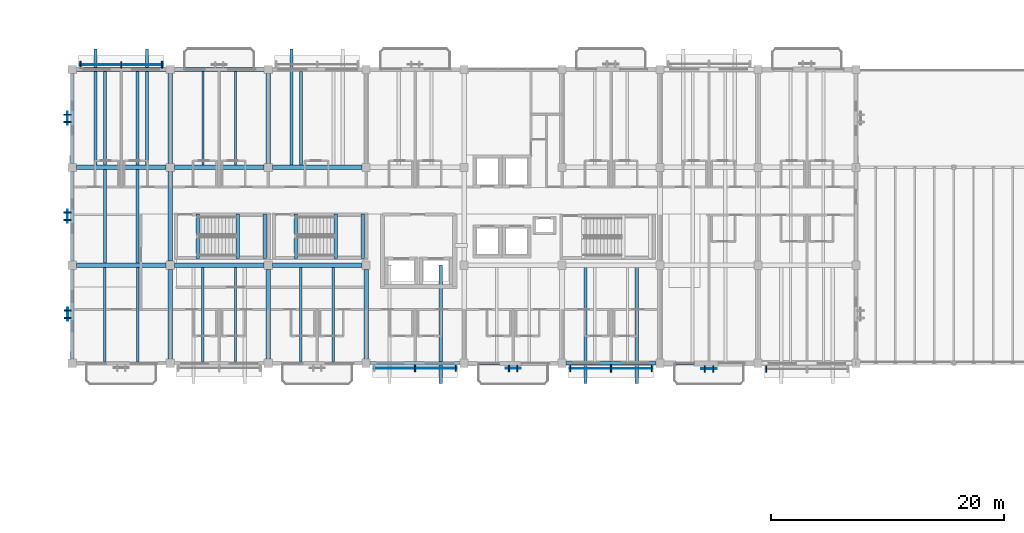
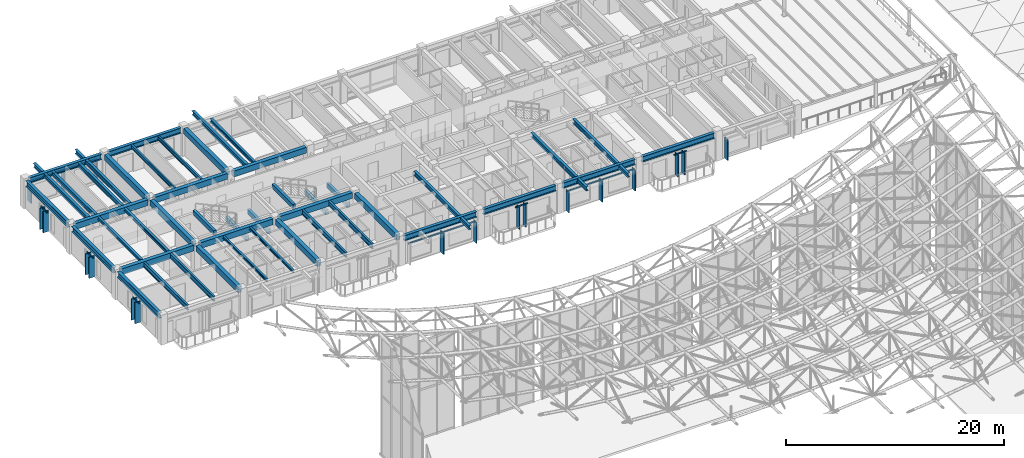
# One storey, part 53 of 93: 46 beams, 27 members, 9 elements without a shape of their own.
"""IFC4 building model written with IfcOpenShell, lengths in metres."""

from ifc_helpers import new_model, si_unit, direction, frame, origin, origin_2d, place, context, subcontext, project, spatial, rectangle, i_section, extrude, material, material_profile, profile_set, type_object, element, aggregate, save


model = new_model("IFC4")

# Units and contexts
model_context = context("Model", 3, precision=1e-05, world=origin(), true_north=direction((0.0, 1.0)))
body_context = subcontext(model_context, "Body", "Model", "MODEL_VIEW")
ifc_project = project(units=[si_unit("LENGTHUNIT", "METRE"), si_unit("AREAUNIT", "SQUARE_METRE"), si_unit("VOLUMEUNIT", "CUBIC_METRE"), si_unit("PLANEANGLEUNIT", "RADIAN"), si_unit("MASSUNIT", "GRAM", prefix="KILO")], contexts=[model_context])

# Site, building, storey
site_placement = place(None, origin())
site = spatial("IfcSite", under=ifc_project, at=site_placement, CompositionType="ELEMENT")
building_placement = place(site_placement, origin())
building = spatial("IfcBuilding", under=site, at=building_placement, Name="Cumbredor Promenade Congress Hotel", CompositionType="ELEMENT")
storey_placement = place(building_placement, frame((0.0, 0.0, 21.840087890625)))
storey = spatial("IfcBuildingStorey", under=building, at=storey_placement, Name="L06", CompositionType="ELEMENT", Elevation=21.840087890625)

# Beams
ifc_material_1 = material(Name="Concrete C40/50", Category="concrete")
ifc_material_profile_1 = material_profile(ifc_material_1, rectangle(XDim=0.39990234375, YDim=0.64990234375, at=origin_2d()), Name="RC BEAM 400x650")
ifc_profile_set_1 = profile_set([ifc_material_profile_1], Name="Concrete C40/50")
beam_type_1 = type_object("IfcBeamType", Name="BM-RC-400x650", PredefinedType="BEAM", material=ifc_profile_set_1)
for number, where, z_axis, x_axis, name in (
    (1, (0.35009765625, 100.800048828125, 2.794921875), (1.0, 0.0, 0.0), (0.0, 1.0, 0.0), "L07 X-Grid Beam 003"),
    (2, (0.35009765625, 109.199951171875, 2.794921875), (1.0, 0.0, 0.0), (0.0, 1.0, 0.0), "L07 X-Grid Beam 005"),
    (3, (8.39990234375, 92.75, 2.794921875), (0.0, 1.0, 0.0), (-1.0, 0.0, 0.0), "L07 Y-Grid Beam 009"),
    (4, (8.75, 100.800048828125, 2.794921875), (1.0, 0.0, 0.0), (0.0, 1.0, 0.0), "L07 X-Grid Beam 010"),
):
    element("IfcBeam", number, at=place(storey_placement, frame(where, z_axis=z_axis, x_axis=x_axis)), inside=storey, type_object=beam_type_1, Name=name, PredefinedType="BEAM", context=body_context, shape_type="SweptSolid", body=[
        extrude(rectangle(XDim=0.39990234375, YDim=0.64990234375, at=origin_2d()), origin(), (0.0, 0.0, 1.0), 7.699951171875),
    ])
beam_1_placement = place(storey_placement, frame((8.39990234375, 101.14990234375, 2.794921875), z_axis=(0.0, 1.0, 0.0), x_axis=(-1.0, 0.0, 0.0)))
element("IfcBeam", 5, at=beam_1_placement, inside=storey, type_object=beam_type_1, Name="L07 Y-Grid Beam 011", PredefinedType="BEAM", context=body_context, shape_type="SweptSolid", body=[
    extrude(rectangle(XDim=0.39990234375, YDim=0.64990234375, at=origin_2d()), origin(), (0.0, 0.0, 1.0), 7.7001953125),
])
for number, where, z_axis, x_axis, name in (
    (6, (8.75, 109.199951171875, 2.794921875), (1.0, 0.0, 0.0), (0.0, 1.0, 0.0), "L07 X-Grid Beam 012"),
    (7, (8.39990234375, 109.550048828125, 2.794921875), (0.0, 1.0, 0.0), (-1.0, 0.0, 0.0), "L07 Y-Grid Beam 013"),
    (8, (16.800048828125, 92.75, 2.794921875), (0.0, 1.0, 0.0), (-1.0, 0.0, 0.0), "L07 Y-Grid Beam 016"),
):
    element("IfcBeam", number, at=place(storey_placement, frame(where, z_axis=z_axis, x_axis=x_axis)), inside=storey, type_object=beam_type_1, Name=name, PredefinedType="BEAM", context=body_context, shape_type="SweptSolid", body=[
        extrude(rectangle(XDim=0.39990234375, YDim=0.64990234375, at=origin_2d()), origin(), (0.0, 0.0, 1.0), 7.699951171875),
    ])
for number, where, z_axis, x_axis, name in (
    (9, (17.14990234375, 100.800048828125, 2.794921875), (1.0, 0.0, 0.0), (0.0, 1.0, 0.0), "L07 X-Grid Beam 017"),
    (10, (17.14990234375, 109.199951171875, 2.794921875), (1.0, 0.0, 0.0), (0.0, 1.0, 0.0), "L07 X-Grid Beam 018"),
):
    element("IfcBeam", number, at=place(storey_placement, frame(where, z_axis=z_axis, x_axis=x_axis)), inside=storey, type_object=beam_type_1, Name=name, PredefinedType="BEAM", context=body_context, shape_type="SweptSolid", body=[
        extrude(rectangle(XDim=0.39990234375, YDim=0.64990234375, at=origin_2d()), origin(), (0.0, 0.0, 1.0), 7.7001953125),
    ])
for number, where, z_axis, x_axis, name in (
    (11, (16.800048828125, 109.550048828125, 2.794921875), (0.0, 1.0, 0.0), (-1.0, 0.0, 0.0), "L07 Y-Grid Beam 019"),
    (12, (25.199951171875, 92.75, 2.794921875), (0.0, 1.0, 0.0), (-1.0, 0.0, 0.0), "L07 Y-Grid Beam 022"),
):
    element("IfcBeam", number, at=place(storey_placement, frame(where, z_axis=z_axis, x_axis=x_axis)), inside=storey, type_object=beam_type_1, Name=name, PredefinedType="BEAM", context=body_context, shape_type="SweptSolid", body=[
        extrude(rectangle(XDim=0.39990234375, YDim=0.64990234375, at=origin_2d()), origin(), (0.0, 0.0, 1.0), 7.699951171875),
    ])
ifc_material_2 = material(Name="Steel ASTM A992 Grade 50", Category="steel")
ifc_material_profile_2 = material_profile(ifc_material_2, i_section(OverallWidth=0.323974609375, OverallDepth=0.611083984375, WebThickness=0.0126953125, FlangeThickness=0.01904296875, at=origin_2d()), Name="W24X104")
ifc_profile_set_2 = profile_set([ifc_material_profile_2], Name="Steel ASTM A992 Grade 50")
beam_type_2 = type_object("IfcBeamType", Name="BM-W24X104", PredefinedType="BEAM", material=ifc_profile_set_2)
for number, where, z_axis, x_axis, name in (
    (13, (0.35009765625, 117.60009765625, 2.814453125), (1.0, 0.0, 0.0), (0.0, 1.0, 0.0), "L07 X-Grid Beam 007"),
    (14, (8.75, 117.60009765625, 2.814453125), (1.0, 0.0, 0.0), (0.0, 1.0, 0.0), "L07 X-Grid Beam 014"),
    (15, (25.550048828125, 92.39990234375, 2.814453125), (1.0, 0.0, 0.0), (0.0, 1.0, 0.0), "L07 X-Grid Beam 021"),
    (16, (33.949951171875, 92.39990234375, 2.814453125), (1.0, 0.0, 0.0), (0.0, 1.0, 0.0), "L07 X-Grid Beam 026"),
    (17, (42.35009765625, 92.39990234375, 2.814453125), (1.0, 0.0, 0.0), (0.0, 1.0, 0.0), "L07 X-Grid Beam 032"),
    (18, (50.75, 92.39990234375, 2.814453125), (1.0, 0.0, 0.0), (0.0, 1.0, 0.0), "L07 X-Grid Beam 038"),
):
    element("IfcBeam", number, at=place(storey_placement, frame(where, z_axis=z_axis, x_axis=x_axis)), inside=storey, type_object=beam_type_2, Name=name, PredefinedType="BEAM", context=body_context, shape_type="SweptSolid", body=[
        extrude(i_section(OverallWidth=0.323974609375, OverallDepth=0.611083984375, WebThickness=0.0126953125, FlangeThickness=0.01904296875, at=origin_2d()), origin(), (0.0, 0.0, 1.0), 7.699951171875),
    ])

# Curtain wall, member
ifc_material_3 = material(Name="Thermally broken anodized aluminium and low-E glass", Category="aluminium")
curtain_wall_type = type_object("IfcCurtainWallType", Name="Solar Brise-Soleil Screen Assembly CW-07", PredefinedType="NOTDEFINED", material=ifc_material_3)
curtain_wall_1_placement = place(storey_placement, origin())
curtain_wall_1 = element("IfcCurtainWall", 19, at=curtain_wall_1_placement, inside=storey, type_object=curtain_wall_type, Name="L06 Hospitality Brise-Soleil Screen 089", PredefinedType="NOTDEFINED")
ifc_material_4 = material(Name="Thermally broken anodized aluminium", Category="aluminium")
ifc_material_profile_3 = material_profile(ifc_material_4, rectangle(XDim=0.06494140625, YDim=0.1298828125, at=origin_2d()), Name="ALU TRANSOM 65x130")
ifc_profile_set_3 = profile_set([ifc_material_profile_3], Name="Thermally broken anodized aluminium")
member_type_1 = type_object("IfcMemberType", Name="Curtain Wall Transom TR-01", PredefinedType="USERDEFINED", material=ifc_profile_set_3)
member_1_placement = place(storey_placement, frame((25.85107421875, 91.9775390625, 2.31396484375), z_axis=(1.0, 0.0, 0.0), x_axis=(0.0, 1.0, 0.0)))
member_1 = element("IfcMember", 20, at=member_1_placement, type_object=member_type_1, Name="L06 Brise-Soleil Screen Transom 089", ObjectType="TRANSOM", PredefinedType="USERDEFINED", context=body_context, shape_type="SweptSolid", body=[
    extrude(rectangle(XDim=0.06494140625, YDim=0.1298828125, at=origin_2d()), origin(), (0.0, 0.0, 1.0), 7.097900390625),
])

curtain_wall_2_placement = place(storey_placement, origin())
curtain_wall_2 = element("IfcCurtainWall", 21, at=curtain_wall_2_placement, inside=storey, type_object=curtain_wall_type, Name="L06 Veranda Solar Brise-Soleil Screen 934", PredefinedType="NOTDEFINED")
member_2_placement = place(storey_placement, frame((37.14990234375, 91.965087890625, 2.413818359375), z_axis=(1.0, 0.0, 0.0), x_axis=(0.0, 1.0, 0.0)))
member_2 = element("IfcMember", 22, at=member_2_placement, type_object=member_type_1, Name="L06 Brise-Soleil Header Tie 0936", ObjectType="TRANSOM", PredefinedType="USERDEFINED", context=body_context, shape_type="SweptSolid", body=[
    extrude(rectangle(XDim=0.06494140625, YDim=0.1298828125, at=origin_2d()), origin(), (0.0, 0.0, 1.0), 1.300048828125),
])

curtain_wall_3_placement = place(storey_placement, origin())
curtain_wall_3 = element("IfcCurtainWall", 23, at=curtain_wall_3_placement, inside=storey, type_object=curtain_wall_type, Name="L06 Hospitality Brise-Soleil Screen 090", PredefinedType="NOTDEFINED")
member_3_placement = place(storey_placement, frame((42.65087890625, 91.949951171875, 2.31396484375), z_axis=(1.0, 0.0, 0.0), x_axis=(0.0, 1.0, 0.0)))
member_3 = element("IfcMember", 24, at=member_3_placement, type_object=member_type_1, Name="L06 Brise-Soleil Screen Transom 090", ObjectType="TRANSOM", PredefinedType="USERDEFINED", context=body_context, shape_type="SweptSolid", body=[
    extrude(rectangle(XDim=0.06494140625, YDim=0.1298828125, at=origin_2d()), origin(), (0.0, 0.0, 1.0), 7.09814453125),
])

curtain_wall_4_placement = place(storey_placement, origin())
curtain_wall_4 = element("IfcCurtainWall", 25, at=curtain_wall_4_placement, inside=storey, type_object=curtain_wall_type, Name="L06 Veranda Solar Brise-Soleil Screen 940", PredefinedType="NOTDEFINED")
member_4_placement = place(storey_placement, frame((53.949951171875, 91.927490234375, 2.413818359375), z_axis=(1.0, 0.0, 0.0), x_axis=(0.0, 1.0, 0.0)))
member_4 = element("IfcMember", 26, at=member_4_placement, type_object=member_type_1, Name="L06 Brise-Soleil Header Tie 0942", ObjectType="TRANSOM", PredefinedType="USERDEFINED", context=body_context, shape_type="SweptSolid", body=[
    extrude(rectangle(XDim=0.06494140625, YDim=0.1298828125, at=origin_2d()), origin(), (0.0, 0.0, 1.0), 1.300048828125),
])

curtain_wall_5_placement = place(storey_placement, origin())
curtain_wall_5 = element("IfcCurtainWall", 27, at=curtain_wall_5_placement, inside=storey, type_object=curtain_wall_type, Name="L06 Hospitality Brise-Soleil Screen 092", PredefinedType="NOTDEFINED")
member_5_placement = place(storey_placement, frame((0.65087890625, 117.989990234375, 2.31396484375), z_axis=(1.0, 0.0, 0.0), x_axis=(0.0, 1.0, 0.0)))
member_5 = element("IfcMember", 28, at=member_5_placement, type_object=member_type_1, Name="L06 Brise-Soleil Screen Transom 092", ObjectType="TRANSOM", PredefinedType="USERDEFINED", context=body_context, shape_type="SweptSolid", body=[
    extrude(rectangle(XDim=0.06494140625, YDim=0.1298828125, at=origin_2d()), origin(), (0.0, 0.0, 1.0), 7.09814453125),
])

curtain_wall_6_placement = place(storey_placement, origin())
curtain_wall_6 = element("IfcCurtainWall", 29, at=curtain_wall_6_placement, inside=storey, type_object=curtain_wall_type, Name="L06 Pier Brise-Soleil Screen 0967", PredefinedType="NOTDEFINED")
member_6_placement = place(storey_placement, frame((-0.389892578125, 96.050048828125, 2.333984375), z_axis=(0.0, 1.0, 0.0), x_axis=(-1.0, 0.0, 0.0)))
member_6 = element("IfcMember", 30, at=member_6_placement, type_object=member_type_1, Name="L06 Pier Brise-Soleil Header 0969", ObjectType="TRANSOM", PredefinedType="USERDEFINED", context=body_context, shape_type="SweptSolid", body=[
    extrude(rectangle(XDim=0.06494140625, YDim=0.1298828125, at=origin_2d()), origin(), (0.0, 0.0, 1.0), 1.099853515625),
])

curtain_wall_7_placement = place(storey_placement, origin())
curtain_wall_7 = element("IfcCurtainWall", 31, at=curtain_wall_7_placement, inside=storey, type_object=curtain_wall_type, Name="L06 Pier Brise-Soleil Screen 0970", PredefinedType="NOTDEFINED")
member_7_placement = place(storey_placement, frame((-0.39990234375, 104.449951171875, 2.333984375), z_axis=(0.0, 1.0, 0.0), x_axis=(-1.0, 0.0, 0.0)))
member_7 = element("IfcMember", 32, at=member_7_placement, type_object=member_type_1, Name="L06 Pier Brise-Soleil Header 0972", ObjectType="TRANSOM", PredefinedType="USERDEFINED", context=body_context, shape_type="SweptSolid", body=[
    extrude(rectangle(XDim=0.06494140625, YDim=0.1298828125, at=origin_2d()), origin(), (0.0, 0.0, 1.0), 1.10009765625),
])

curtain_wall_8_placement = place(storey_placement, origin())
curtain_wall_8 = element("IfcCurtainWall", 33, at=curtain_wall_8_placement, inside=storey, type_object=curtain_wall_type, Name="L06 Pier Brise-Soleil Screen 0973", PredefinedType="NOTDEFINED")
member_8_placement = place(storey_placement, frame((-0.409912109375, 112.85009765625, 2.333984375), z_axis=(0.0, 1.0, 0.0), x_axis=(-1.0, 0.0, 0.0)))
member_8 = element("IfcMember", 34, at=member_8_placement, type_object=member_type_1, Name="L06 Pier Brise-Soleil Header 0975", ObjectType="TRANSOM", PredefinedType="USERDEFINED", context=body_context, shape_type="SweptSolid", body=[
    extrude(rectangle(XDim=0.06494140625, YDim=0.1298828125, at=origin_2d()), origin(), (0.0, 0.0, 1.0), 1.099853515625),
])

# Beams
ifc_material_profile_4 = material_profile(ifc_material_2, i_section(OverallWidth=0.202880859375, OverallDepth=0.302978515625, WebThickness=0.007568359375, FlangeThickness=0.01318359375, at=origin_2d()), Name="W12X40")
ifc_profile_set_4 = profile_set([ifc_material_profile_4], Name="Steel ASTM A992 Grade 50")
beam_type_3 = type_object("IfcBeamType", Name="JST-W12X40", PredefinedType="JOIST", material=ifc_profile_set_4)
for number, where, z_axis, x_axis, name in (
    (35, (11.199951171875, 92.56201171875, 2.968505859375), (0.0, 1.0, 0.0), (-1.0, 0.0, 0.0), "L07 Secondary Floor Joist 0007"),
    (36, (14.0, 92.56201171875, 2.968505859375), (0.0, 1.0, 0.0), (-1.0, 0.0, 0.0), "L07 Secondary Floor Joist 0008"),
):
    element("IfcBeam", number, at=place(storey_placement, frame(where, z_axis=z_axis, x_axis=x_axis)), inside=storey, type_object=beam_type_3, Name=name, PredefinedType="JOIST", context=body_context, shape_type="SweptSolid", body=[
        extrude(i_section(OverallWidth=0.202880859375, OverallDepth=0.302978515625, WebThickness=0.007568359375, FlangeThickness=0.01318359375, at=origin_2d()), origin(), (0.0, 0.0, 1.0), 8.0380859375),
    ])
ifc_material_profile_5 = material_profile(ifc_material_2, i_section(OverallWidth=0.2548828125, OverallDepth=0.35693359375, WebThickness=0.010498046875, FlangeThickness=0.018310546875, at=origin_2d()), Name="W14X68")
ifc_profile_set_5 = profile_set([ifc_material_profile_5], Name="Steel ASTM A992 Grade 50")
beam_type_4 = type_object("IfcBeamType", Name="JST-W14X68", PredefinedType="JOIST", material=ifc_profile_set_5)
for number, where, z_axis, x_axis, name in (
    (37, (2.800048828125, 101.0, 2.94140625), (0.0, 1.0, 0.0), (-1.0, 0.0, 0.0), "L07 Secondary Floor Joist 0003"),
    (38, (5.60009765625, 101.0, 2.94140625), (0.0, 1.0, 0.0), (-1.0, 0.0, 0.0), "L07 Secondary Floor Joist 0004"),
):
    element("IfcBeam", number, at=place(storey_placement, frame(where, z_axis=z_axis, x_axis=x_axis)), inside=storey, type_object=beam_type_4, Name=name, PredefinedType="JOIST", context=body_context, shape_type="SweptSolid", body=[
        extrude(i_section(OverallWidth=0.2548828125, OverallDepth=0.35693359375, WebThickness=0.010498046875, FlangeThickness=0.018310546875, at=origin_2d()), origin(), (0.0, 0.0, 1.0), 8.0),
    ])
beam_2_placement = place(storey_placement, frame((19.60009765625, 109.39990234375, 2.94140625), z_axis=(0.0, 1.0, 0.0), x_axis=(-1.0, 0.0, 0.0)))
element("IfcBeam", 39, at=beam_2_placement, inside=storey, type_object=beam_type_4, Name="L07 Secondary Floor Joist 0013", PredefinedType="JOIST", context=body_context, shape_type="SweptSolid", body=[
    extrude(i_section(OverallWidth=0.2548828125, OverallDepth=0.35693359375, WebThickness=0.010498046875, FlangeThickness=0.018310546875, at=origin_2d()), origin(), (0.0, 0.0, 1.0), 8.0380859375),
])
ifc_material_profile_6 = material_profile(ifc_material_2, i_section(OverallWidth=0.180908203125, OverallDepth=0.4169921875, WebThickness=0.010986328125, FlangeThickness=0.018310546875, at=origin_2d()), Name="W16X57")
ifc_profile_set_6 = profile_set([ifc_material_profile_6], Name="Steel ASTM A992 Grade 50")
beam_type_5 = type_object("IfcBeamType", Name="JST-W16X57", PredefinedType="JOIST", material=ifc_profile_set_6)
for number, where, z_axis, x_axis, name in (
    (40, (11.199951171875, 109.39990234375, 2.911376953125), (0.0, 1.0, 0.0), (-1.0, 0.0, 0.0), "L07 Secondary Floor Joist 0009"),
    (41, (14.0, 109.39990234375, 2.911376953125), (0.0, 1.0, 0.0), (-1.0, 0.0, 0.0), "L07 Secondary Floor Joist 0010"),
):
    element("IfcBeam", number, at=place(storey_placement, frame(where, z_axis=z_axis, x_axis=x_axis)), inside=storey, type_object=beam_type_5, Name=name, PredefinedType="JOIST", context=body_context, shape_type="SweptSolid", body=[
        extrude(i_section(OverallWidth=0.180908203125, OverallDepth=0.4169921875, WebThickness=0.010986328125, FlangeThickness=0.018310546875, at=origin_2d()), origin(), (0.0, 0.0, 1.0), 8.0380859375),
    ])
ifc_material_profile_7 = material_profile(ifc_material_2, i_section(OverallWidth=0.280029296875, OverallDepth=0.462890625, WebThickness=0.0107421875, FlangeThickness=0.017333984375, at=origin_2d()), Name="W18X76")
ifc_profile_set_7 = profile_set([ifc_material_profile_7], Name="Steel ASTM A992 Grade 50")
beam_type_6 = type_object("IfcBeamType", Name="JST-W18X76", PredefinedType="JOIST", material=ifc_profile_set_7)
for number, where, z_axis, x_axis, name in (
    (42, (2.0, 109.199951171875, 2.888427734375), (0.0, 1.0, 0.0), (-1.0, 0.0, 0.0), "L07 Balcony Back-Spanned Outrigger Beam 042.1"),
    (43, (6.39990234375, 109.199951171875, 2.888427734375), (0.0, 1.0, 0.0), (-1.0, 0.0, 0.0), "L07 Balcony Back-Spanned Outrigger Beam 042.2"),
    (44, (18.800048828125, 109.199951171875, 2.888427734375), (0.0, 1.0, 0.0), (-1.0, 0.0, 0.0), "L07 Balcony Back-Spanned Outrigger Beam 043.1"),
    (45, (31.60009765625, 90.64990234375, 2.888427734375), (0.0, 1.0, 0.0), (-1.0, 0.0, 0.0), "L07 Balcony Back-Spanned Outrigger Beam 046.2"),
    (46, (44.0, 90.64990234375, 2.888427734375), (0.0, 1.0, 0.0), (-1.0, 0.0, 0.0), "L07 Balcony Back-Spanned Outrigger Beam 047.1"),
    (47, (48.39990234375, 90.64990234375, 2.888427734375), (0.0, 1.0, 0.0), (-1.0, 0.0, 0.0), "L07 Balcony Back-Spanned Outrigger Beam 047.2"),
):
    element("IfcBeam", number, at=place(storey_placement, frame(where, z_axis=z_axis, x_axis=x_axis)), inside=storey, type_object=beam_type_6, Name=name, PredefinedType="JOIST", context=body_context, shape_type="SweptSolid", body=[
        extrude(i_section(OverallWidth=0.280029296875, OverallDepth=0.462890625, WebThickness=0.0107421875, FlangeThickness=0.017333984375, at=origin_2d()), origin(), (0.0, 0.0, 1.0), 10.150146484375),
    ])
for number, where, z_axis, x_axis, name in (
    (48, (2.800048828125, 109.39990234375, 2.888427734375), (0.0, 1.0, 0.0), (-1.0, 0.0, 0.0), "L07 Secondary Floor Joist 0005"),
    (49, (5.60009765625, 109.39990234375, 2.888427734375), (0.0, 1.0, 0.0), (-1.0, 0.0, 0.0), "L07 Secondary Floor Joist 0006"),
):
    element("IfcBeam", number, at=place(storey_placement, frame(where, z_axis=z_axis, x_axis=x_axis)), inside=storey, type_object=beam_type_6, Name=name, PredefinedType="JOIST", context=body_context, shape_type="SweptSolid", body=[
        extrude(i_section(OverallWidth=0.280029296875, OverallDepth=0.462890625, WebThickness=0.0107421875, FlangeThickness=0.017333984375, at=origin_2d()), origin(), (0.0, 0.0, 1.0), 8.0380859375),
    ])
ifc_material_profile_8 = material_profile(ifc_material_2, i_section(OverallWidth=0.214111328125, OverallDepth=0.549072265625, WebThickness=0.0146484375, FlangeThickness=0.023681640625, at=origin_2d()), Name="W21X93")
ifc_profile_set_8 = profile_set([ifc_material_profile_8], Name="Steel ASTM A992 Grade 50")
beam_type_7 = type_object("IfcBeamType", Name="JST-W21X93", PredefinedType="JOIST", material=ifc_profile_set_8)
for number, where, z_axis, x_axis, name in (
    (50, (2.800048828125, 92.56201171875, 2.845458984375), (0.0, 1.0, 0.0), (-1.0, 0.0, 0.0), "L07 Secondary Floor Joist 0001"),
    (51, (5.60009765625, 92.56201171875, 2.845458984375), (0.0, 1.0, 0.0), (-1.0, 0.0, 0.0), "L07 Secondary Floor Joist 0002"),
    (52, (19.60009765625, 92.56201171875, 2.845458984375), (0.0, 1.0, 0.0), (-1.0, 0.0, 0.0), "L07 Secondary Floor Joist 0011"),
    (53, (22.39990234375, 92.56201171875, 2.845458984375), (0.0, 1.0, 0.0), (-1.0, 0.0, 0.0), "L07 Secondary Floor Joist 0012"),
):
    element("IfcBeam", number, at=place(storey_placement, frame(where, z_axis=z_axis, x_axis=x_axis)), inside=storey, type_object=beam_type_7, Name=name, PredefinedType="JOIST", context=body_context, shape_type="SweptSolid", body=[
        extrude(i_section(OverallWidth=0.214111328125, OverallDepth=0.549072265625, WebThickness=0.0146484375, FlangeThickness=0.023681640625, at=origin_2d()), origin(), (0.0, 0.0, 1.0), 8.0380859375),
    ])
ifc_material_profile_9 = material_profile(ifc_material_1, rectangle(XDim=0.300048828125, YDim=0.5, at=origin_2d()), Name="RC LINTEL 300x500")
ifc_profile_set_9 = profile_set([ifc_material_profile_9], Name="Concrete C40/50")
beam_type_8 = type_object("IfcBeamType", Name="LN-RC-300x500", PredefinedType="LINTEL", material=ifc_profile_set_9)
for number, where, z_axis, x_axis, name in (
    (54, (16.5, 101.3701171875, 1.22998046875), (0.0, 1.0, 0.0), (-1.0, 0.0, 0.0), "L06 Stair ST-01 Landing Ledger Beam E"),
    (55, (14.199951171875, 101.3701171875, 1.22998046875), (0.0, 1.0, 0.0), (-1.0, 0.0, 0.0), "L06 Stair ST-01 Landing Ledger Beam W"),
    (56, (10.75, 101.3701171875, 3.10986328125), (0.0, 1.0, 0.0), (-1.0, 0.0, 0.0), "L07 Stair ST-01 Well Header Trimmer Beam"),
    (57, (24.89990234375, 101.3701171875, 1.22998046875), (0.0, 1.0, 0.0), (-1.0, 0.0, 0.0), "L06 Stair ST-02 Landing Ledger Beam E"),
    (58, (22.60009765625, 101.3701171875, 1.22998046875), (0.0, 1.0, 0.0), (-1.0, 0.0, 0.0), "L06 Stair ST-02 Landing Ledger Beam W"),
    (59, (19.14990234375, 101.3701171875, 3.10986328125), (0.0, 1.0, 0.0), (-1.0, 0.0, 0.0), "L07 Stair ST-02 Well Header Trimmer Beam"),
):
    element("IfcBeam", number, at=place(storey_placement, frame(where, z_axis=z_axis, x_axis=x_axis)), inside=storey, type_object=beam_type_8, Name=name, PredefinedType="LINTEL", context=body_context, shape_type="SweptSolid", body=[
        extrude(rectangle(XDim=0.300048828125, YDim=0.5, at=origin_2d()), origin(), (0.0, 0.0, 1.0), 3.829833984375),
    ])
ifc_material_profile_10 = material_profile(ifc_material_2, i_section(OverallWidth=0.323974609375, OverallDepth=0.611083984375, WebThickness=0.0126953125, FlangeThickness=0.01904296875, at=origin_2d()), Name="W24X104")
ifc_profile_set_10 = profile_set([ifc_material_profile_10], Name="Steel ASTM A992 Grade 50")
beam_type_9 = type_object("IfcBeamType", Name="SP-W24X104", PredefinedType="SPANDREL", material=ifc_profile_set_10)
beam_3_placement = place(storey_placement, frame((0.0, 92.75, 2.814453125), z_axis=(0.0, 1.0, 0.0), x_axis=(-1.0, 0.0, 0.0)))
element("IfcBeam", 60, at=beam_3_placement, inside=storey, type_object=beam_type_9, Name="L07 Y-Grid Beam 002", PredefinedType="SPANDREL", context=body_context, shape_type="SweptSolid", body=[
    extrude(i_section(OverallWidth=0.323974609375, OverallDepth=0.611083984375, WebThickness=0.0126953125, FlangeThickness=0.01904296875, at=origin_2d()), origin(), (0.0, 0.0, 1.0), 7.699951171875),
])
beam_4_placement = place(storey_placement, frame((0.0, 101.14990234375, 2.814453125), z_axis=(0.0, 1.0, 0.0), x_axis=(-1.0, 0.0, 0.0)))
element("IfcBeam", 61, at=beam_4_placement, inside=storey, type_object=beam_type_9, Name="L07 Y-Grid Beam 004", PredefinedType="SPANDREL", context=body_context, shape_type="SweptSolid", body=[
    extrude(i_section(OverallWidth=0.323974609375, OverallDepth=0.611083984375, WebThickness=0.0126953125, FlangeThickness=0.01904296875, at=origin_2d()), origin(), (0.0, 0.0, 1.0), 7.7001953125),
])
beam_5_placement = place(storey_placement, frame((0.0, 109.550048828125, 2.814453125), z_axis=(0.0, 1.0, 0.0), x_axis=(-1.0, 0.0, 0.0)))
element("IfcBeam", 62, at=beam_5_placement, inside=storey, type_object=beam_type_9, Name="L07 Y-Grid Beam 006", PredefinedType="SPANDREL", context=body_context, shape_type="SweptSolid", body=[
    extrude(i_section(OverallWidth=0.323974609375, OverallDepth=0.611083984375, WebThickness=0.0126953125, FlangeThickness=0.01904296875, at=origin_2d()), origin(), (0.0, 0.0, 1.0), 7.699951171875),
])

# Member
ifc_material_profile_11 = material_profile(ifc_material_4, rectangle(XDim=0.110107421875, YDim=0.6201171875, at=origin_2d()), Name="ARCH FIN 110x620")
ifc_profile_set_11 = profile_set([ifc_material_profile_11], Name="Thermally broken anodized aluminium")
member_type_2 = type_object("IfcMemberType", Name="Vertical Bronze Brise-Soleil Fin BSF-02 110x620", PredefinedType="USERDEFINED", material=ifc_profile_set_11)
member_9_placement = place(storey_placement, frame((29.39990234375, 91.9775390625, 0.02001953125), z_axis=(0.0, 0.0, 1.0), x_axis=(1.0, 0.0, 0.0)))
member_9 = element("IfcMember", 63, at=member_9_placement, type_object=member_type_2, Name="L06 Vertical Brise-Soleil Fin 0932", ObjectType="SOLAR FIN", PredefinedType="USERDEFINED", context=body_context, shape_type="SweptSolid", body=[
    extrude(rectangle(XDim=0.110107421875, YDim=0.6201171875, at=origin_2d()), origin(), (0.0, 0.0, 1.0), 2.35400390625),
])

member_10_placement = place(storey_placement, frame((46.199951171875, 91.949951171875, 0.02001953125), z_axis=(0.0, 0.0, 1.0), x_axis=(1.0, 0.0, 0.0)))
member_10 = element("IfcMember", 64, at=member_10_placement, type_object=member_type_2, Name="L06 Vertical Brise-Soleil Fin 0938", ObjectType="SOLAR FIN", PredefinedType="USERDEFINED", context=body_context, shape_type="SweptSolid", body=[
    extrude(rectangle(XDim=0.110107421875, YDim=0.6201171875, at=origin_2d()), origin(), (0.0, 0.0, 1.0), 2.35400390625),
])

member_11_placement = place(storey_placement, frame((0.700927734375, 117.989990234375, 0.02001953125), z_axis=(0.0, 0.0, 1.0), x_axis=(1.0, 0.0, 0.0)))
member_11 = element("IfcMember", 65, at=member_11_placement, type_object=member_type_2, Name="L06 Vertical Brise-Soleil Fin 0946", ObjectType="SOLAR FIN", PredefinedType="USERDEFINED", context=body_context, shape_type="SweptSolid", body=[
    extrude(rectangle(XDim=0.110107421875, YDim=0.6201171875, at=origin_2d()), origin(), (0.0, 0.0, 1.0), 2.35400390625),
])

member_12_placement = place(storey_placement, frame((7.698974609375, 117.989990234375, 0.02001953125), z_axis=(0.0, 0.0, 1.0), x_axis=(1.0, 0.0, 0.0)))
member_12 = element("IfcMember", 66, at=member_12_placement, type_object=member_type_2, Name="L06 Vertical Brise-Soleil Fin 0948", ObjectType="SOLAR FIN", PredefinedType="USERDEFINED", context=body_context, shape_type="SweptSolid", body=[
    extrude(rectangle(XDim=0.110107421875, YDim=0.6201171875, at=origin_2d()), origin(), (0.0, 0.0, 1.0), 2.35400390625),
])

member_13_placement = place(storey_placement, frame((-0.389892578125, 96.280029296875, 0.02001953125), z_axis=(0.0, 0.0, 1.0), x_axis=(0.0, 1.0, 0.0)))
member_13 = element("IfcMember", 67, at=member_13_placement, type_object=member_type_2, Name="L06 Pier Brise-Soleil Fin 0968", ObjectType="SOLAR FIN", PredefinedType="USERDEFINED", context=body_context, shape_type="SweptSolid", body=[
    extrude(rectangle(XDim=0.110107421875, YDim=0.6201171875, at=origin_2d()), origin(), (0.0, 0.0, 1.0), 2.35400390625),
])

member_14_placement = place(storey_placement, frame((-0.389892578125, 96.919921875, 0.02001953125), z_axis=(0.0, 0.0, 1.0), x_axis=(0.0, 1.0, 0.0)))
member_14 = element("IfcMember", 68, at=member_14_placement, type_object=member_type_2, Name="L06 Pier Brise-Soleil Fin 0969", ObjectType="SOLAR FIN", PredefinedType="USERDEFINED", context=body_context, shape_type="SweptSolid", body=[
    extrude(rectangle(XDim=0.110107421875, YDim=0.6201171875, at=origin_2d()), origin(), (0.0, 0.0, 1.0), 2.35400390625),
])

aggregate(curtain_wall_6, [member_13, member_14, member_6])

member_15_placement = place(storey_placement, frame((-0.39990234375, 104.679931640625, 0.02001953125), z_axis=(0.0, 0.0, 1.0), x_axis=(0.0, 1.0, 0.0)))
member_15 = element("IfcMember", 69, at=member_15_placement, type_object=member_type_2, Name="L06 Pier Brise-Soleil Fin 0971", ObjectType="SOLAR FIN", PredefinedType="USERDEFINED", context=body_context, shape_type="SweptSolid", body=[
    extrude(rectangle(XDim=0.110107421875, YDim=0.6201171875, at=origin_2d()), origin(), (0.0, 0.0, 1.0), 2.35400390625),
])

member_16_placement = place(storey_placement, frame((-0.39990234375, 105.320068359375, 0.02001953125), z_axis=(0.0, 0.0, 1.0), x_axis=(0.0, 1.0, 0.0)))
member_16 = element("IfcMember", 70, at=member_16_placement, type_object=member_type_2, Name="L06 Pier Brise-Soleil Fin 0972", ObjectType="SOLAR FIN", PredefinedType="USERDEFINED", context=body_context, shape_type="SweptSolid", body=[
    extrude(rectangle(XDim=0.110107421875, YDim=0.6201171875, at=origin_2d()), origin(), (0.0, 0.0, 1.0), 2.35400390625),
])

aggregate(curtain_wall_7, [member_15, member_16, member_7])

member_17_placement = place(storey_placement, frame((-0.409912109375, 113.080078125, 0.02001953125), z_axis=(0.0, 0.0, 1.0), x_axis=(0.0, 1.0, 0.0)))
member_17 = element("IfcMember", 71, at=member_17_placement, type_object=member_type_2, Name="L06 Pier Brise-Soleil Fin 0974", ObjectType="SOLAR FIN", PredefinedType="USERDEFINED", context=body_context, shape_type="SweptSolid", body=[
    extrude(rectangle(XDim=0.110107421875, YDim=0.6201171875, at=origin_2d()), origin(), (0.0, 0.0, 1.0), 2.35400390625),
])

member_18_placement = place(storey_placement, frame((-0.409912109375, 113.719970703125, 0.02001953125), z_axis=(0.0, 0.0, 1.0), x_axis=(0.0, 1.0, 0.0)))
member_18 = element("IfcMember", 72, at=member_18_placement, type_object=member_type_2, Name="L06 Pier Brise-Soleil Fin 0975", ObjectType="SOLAR FIN", PredefinedType="USERDEFINED", context=body_context, shape_type="SweptSolid", body=[
    extrude(rectangle(XDim=0.110107421875, YDim=0.6201171875, at=origin_2d()), origin(), (0.0, 0.0, 1.0), 2.35400390625),
])

aggregate(curtain_wall_8, [member_17, member_18, member_8])

ifc_material_5 = material(Name="Kiln-dried tropical hardwood", Category="wood")
ifc_material_profile_12 = material_profile(ifc_material_5, rectangle(XDim=0.090087890625, YDim=0.550048828125, at=origin_2d()), Name="ARCH FIN 90x550")
ifc_profile_set_12 = profile_set([ifc_material_profile_12], Name="Kiln-dried tropical hardwood")
member_type_3 = type_object("IfcMemberType", Name="Vertical Hardwood Brise-Soleil Fin BSF-01 90x550", PredefinedType="USERDEFINED", material=ifc_profile_set_12)
member_19_placement = place(storey_placement, frame((32.89892578125, 91.9775390625, 0.02001953125), z_axis=(0.0, 0.0, 1.0), x_axis=(1.0, 0.0, 0.0)))
member_19 = element("IfcMember", 73, at=member_19_placement, type_object=member_type_3, Name="L06 Vertical Brise-Soleil Fin 0933", ObjectType="SOLAR FIN", PredefinedType="USERDEFINED", context=body_context, shape_type="SweptSolid", body=[
    extrude(rectangle(XDim=0.090087890625, YDim=0.550048828125, at=origin_2d()), origin(), (0.0, 0.0, 1.0), 2.35400390625),
])

aggregate(curtain_wall_1, [member_1, member_9, member_19])

member_20_placement = place(storey_placement, frame((37.449951171875, 91.965087890625, -0.010009765625), z_axis=(0.0, 0.0, 1.0), x_axis=(1.0, 0.0, 0.0)))
member_20 = element("IfcMember", 74, at=member_20_placement, type_object=member_type_3, Name="L06 Vertical Hardwood Brise-Soleil Fin 0935", ObjectType="SOLAR FIN", PredefinedType="USERDEFINED", context=body_context, shape_type="SweptSolid", body=[
    extrude(rectangle(XDim=0.090087890625, YDim=0.550048828125, at=origin_2d()), origin(), (0.0, 0.0, 1.0), 2.48388671875),
])

member_21_placement = place(storey_placement, frame((38.14990234375, 91.965087890625, -0.010009765625), z_axis=(0.0, 0.0, 1.0), x_axis=(1.0, 0.0, 0.0)))
member_21 = element("IfcMember", 75, at=member_21_placement, type_object=member_type_3, Name="L06 Vertical Hardwood Brise-Soleil Fin 0936", ObjectType="SOLAR FIN", PredefinedType="USERDEFINED", context=body_context, shape_type="SweptSolid", body=[
    extrude(rectangle(XDim=0.090087890625, YDim=0.550048828125, at=origin_2d()), origin(), (0.0, 0.0, 1.0), 2.48388671875),
])

aggregate(curtain_wall_2, [member_20, member_21, member_2])

member_22_placement = place(storey_placement, frame((42.700927734375, 91.949951171875, 0.02001953125), z_axis=(0.0, 0.0, 1.0), x_axis=(1.0, 0.0, 0.0)))
member_22 = element("IfcMember", 76, at=member_22_placement, type_object=member_type_3, Name="L06 Vertical Brise-Soleil Fin 0937", ObjectType="SOLAR FIN", PredefinedType="USERDEFINED", context=body_context, shape_type="SweptSolid", body=[
    extrude(rectangle(XDim=0.090087890625, YDim=0.550048828125, at=origin_2d()), origin(), (0.0, 0.0, 1.0), 2.35400390625),
])

member_23_placement = place(storey_placement, frame((49.698974609375, 91.949951171875, 0.02001953125), z_axis=(0.0, 0.0, 1.0), x_axis=(1.0, 0.0, 0.0)))
member_23 = element("IfcMember", 77, at=member_23_placement, type_object=member_type_3, Name="L06 Vertical Brise-Soleil Fin 0939", ObjectType="SOLAR FIN", PredefinedType="USERDEFINED", context=body_context, shape_type="SweptSolid", body=[
    extrude(rectangle(XDim=0.090087890625, YDim=0.550048828125, at=origin_2d()), origin(), (0.0, 0.0, 1.0), 2.35400390625),
])

aggregate(curtain_wall_3, [member_3, member_22, member_10, member_23])

member_24_placement = place(storey_placement, frame((54.25, 91.927490234375, -0.010009765625), z_axis=(0.0, 0.0, 1.0), x_axis=(1.0, 0.0, 0.0)))
member_24 = element("IfcMember", 78, at=member_24_placement, type_object=member_type_3, Name="L06 Vertical Hardwood Brise-Soleil Fin 0941", ObjectType="SOLAR FIN", PredefinedType="USERDEFINED", context=body_context, shape_type="SweptSolid", body=[
    extrude(rectangle(XDim=0.090087890625, YDim=0.550048828125, at=origin_2d()), origin(), (0.0, 0.0, 1.0), 2.48388671875),
])

member_25_placement = place(storey_placement, frame((54.949951171875, 91.927490234375, -0.010009765625), z_axis=(0.0, 0.0, 1.0), x_axis=(1.0, 0.0, 0.0)))
member_25 = element("IfcMember", 79, at=member_25_placement, type_object=member_type_3, Name="L06 Vertical Hardwood Brise-Soleil Fin 0942", ObjectType="SOLAR FIN", PredefinedType="USERDEFINED", context=body_context, shape_type="SweptSolid", body=[
    extrude(rectangle(XDim=0.090087890625, YDim=0.550048828125, at=origin_2d()), origin(), (0.0, 0.0, 1.0), 2.48388671875),
])

aggregate(curtain_wall_4, [member_24, member_25, member_4])

# Curtain wall, member
curtain_wall_9_placement = place(storey_placement, origin())
curtain_wall_9 = element("IfcCurtainWall", 80, at=curtain_wall_9_placement, inside=storey, type_object=curtain_wall_type, Name="L06 Hospitality Brise-Soleil Screen 091", PredefinedType="NOTDEFINED")
member_26_placement = place(storey_placement, frame((59.5009765625, 91.9150390625, 0.02001953125), z_axis=(0.0, 0.0, 1.0), x_axis=(1.0, 0.0, 0.0)))
member_26 = element("IfcMember", 81, at=member_26_placement, type_object=member_type_3, Name="L06 Vertical Brise-Soleil Fin 0943", ObjectType="SOLAR FIN", PredefinedType="USERDEFINED", context=body_context, shape_type="SweptSolid", body=[
    extrude(rectangle(XDim=0.090087890625, YDim=0.550048828125, at=origin_2d()), origin(), (0.0, 0.0, 1.0), 2.35400390625),
])
aggregate(curtain_wall_9, [member_26])

# Member
member_27_placement = place(storey_placement, frame((4.199951171875, 117.989990234375, 0.02001953125), z_axis=(0.0, 0.0, 1.0), x_axis=(1.0, 0.0, 0.0)))
member_27 = element("IfcMember", 82, at=member_27_placement, type_object=member_type_3, Name="L06 Vertical Brise-Soleil Fin 0947", ObjectType="SOLAR FIN", PredefinedType="USERDEFINED", context=body_context, shape_type="SweptSolid", body=[
    extrude(rectangle(XDim=0.090087890625, YDim=0.550048828125, at=origin_2d()), origin(), (0.0, 0.0, 1.0), 2.35400390625),
])

aggregate(curtain_wall_5, [member_5, member_11, member_27, member_12])

save(model, "model.ifc")
